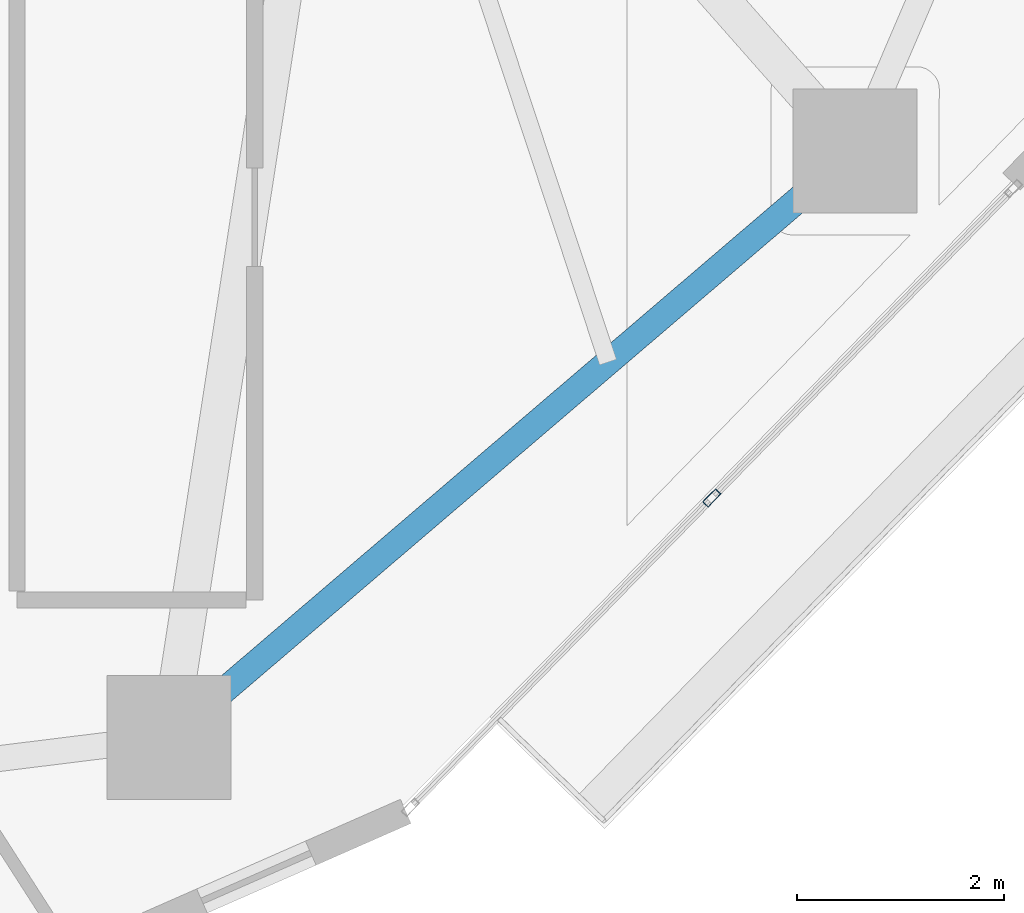
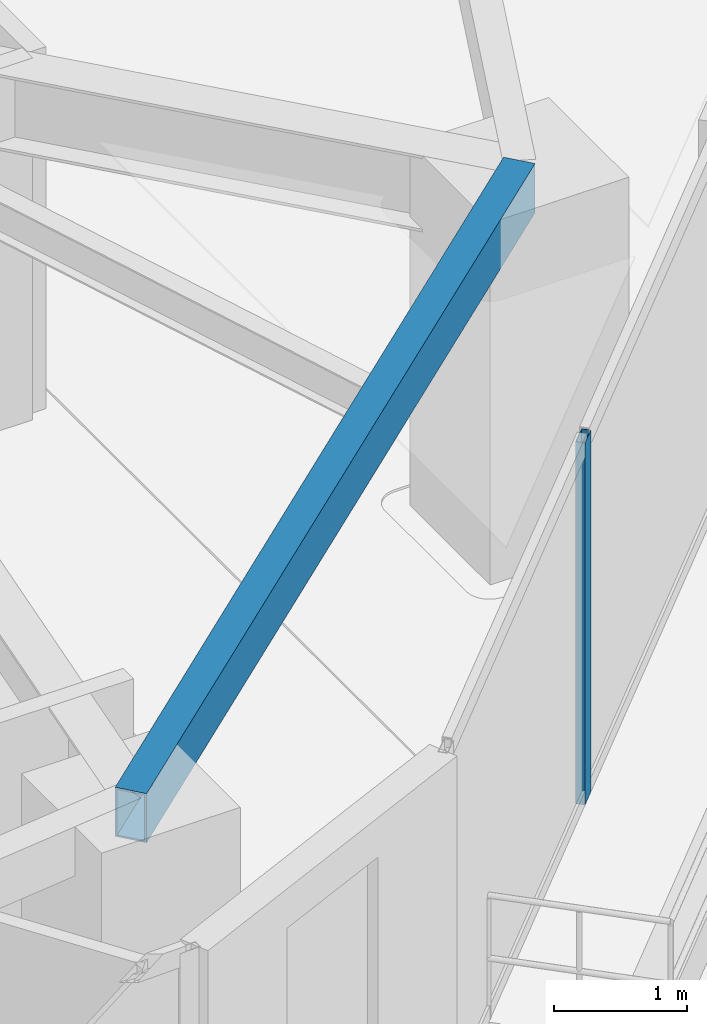
# One storey, part 6 of 23: 1 beam, 1 member, 1 element without a shape of its own.
"""IFC4 building model written with IfcOpenShell, lengths in metres."""

from ifc_helpers import new_model, si_unit, direction, frame, origin, origin_2d, place, context, subcontext, project, spatial, hollow_rectangle, extrude, source, transform, mapped, material, layer, layer_set, material_profile, profile_set, type_object, type_shapes, element, aggregate, save


model = new_model("IFC4")

# Units and contexts
model_context = context("Model", 3, precision=1e-05, world=origin(), true_north=direction((0.0, 1.0)))
body_context = subcontext(model_context, "Body", "Model", "MODEL_VIEW")
ifc_project = project(units=[si_unit("LENGTHUNIT", "METRE"), si_unit("AREAUNIT", "SQUARE_METRE"), si_unit("VOLUMEUNIT", "CUBIC_METRE"), si_unit("PLANEANGLEUNIT", "RADIAN"), si_unit("MASSUNIT", "GRAM", prefix="KILO")], contexts=[model_context])

# Site, building, storey
site_placement = place(None, origin())
site = spatial("IfcSite", under=ifc_project, at=site_placement, CompositionType="ELEMENT")
building_placement = place(site_placement, origin())
building = spatial("IfcBuilding", under=site, at=building_placement, Name="Talar Marvaseh", CompositionType="ELEMENT")
storey_placement = place(building_placement, frame((0.0, 0.0, 96.60009765625)))
storey = spatial("IfcBuildingStorey", under=building, at=storey_placement, Name="L24", CompositionType="ELEMENT", Elevation=96.60009765625)

# Beam
ifc_material_1 = material(Name="Steel S355", Category="steel")
ifc_material_profile_1 = material_profile(ifc_material_1, hollow_rectangle(XDim=0.25, YDim=0.449951171875, WallThickness=0.01611328125, at=origin_2d()), Name="RHS450x250x16")
ifc_profile_set_1 = profile_set([ifc_material_profile_1], Name="Steel S355")
beam_type = type_object("IfcBeamType", Name="Zone 2 Perimeter Spandrel Beam RHS450x250x16", PredefinedType="SPANDREL", material=ifc_profile_set_1)
beam_placement = place(storey_placement, frame((38.2060546875, 19.94091796875, 3.0849609375), z_axis=(-0.76011265597, -0.649791312833, 0.0), x_axis=(0.649791312833, -0.76011265597, 0.0)))
element("IfcBeam", 1, at=beam_placement, inside=storey, type_object=beam_type, Name="L24 Zone 2 Perimeter Spandrel Beam RHS450x250x16", PredefinedType="SPANDREL", context=body_context, shape_type="SweptSolid", body=[
    extrude(hollow_rectangle(XDim=0.25, YDim=0.449951171875, WallThickness=0.01611328125, at=origin_2d()), origin(), (0.0, 0.0, 1.0), 8.730224609375),
])

# Curtain wall, member
ifc_material_2 = material(Name="Architectural Aluminium", Category="aluminium")
ifc_layer = layer(ifc_material_2, 0.199951171875)
ifc_layer_set = layer_set([ifc_layer], Name="Architectural Aluminium")
curtain_wall_type = type_object("IfcCurtainWallType", Name="Unitised Acoustic Library Curtain Wall Z2", PredefinedType="NOTDEFINED", material=ifc_layer_set)
curtain_wall_placement = place(storey_placement, origin())
curtain_wall = element("IfcCurtainWall", 2, at=curtain_wall_placement, inside=storey, type_object=curtain_wall_type, Name="L24 Unitised Acoustic Library Curtain Wall Z2", PredefinedType="NOTDEFINED")
ifc_material_profile_2 = material_profile(ifc_material_2, hollow_rectangle(XDim=0.074951171875, YDim=0.179931640625, WallThickness=0.0048828125, at=origin_2d()), Name="RHS180x75x5")
ifc_profile_set_2 = profile_set([ifc_material_profile_2], Name="Architectural Aluminium")
member_type = type_object("IfcMemberType", Name="Unitised Curtain Wall Standard Mullion RHS180x75x5", PredefinedType="MULLION", material=ifc_profile_set_2)
shared_shape = source(origin(), body_context, "Body", "SweptSolid", [
    extrude(hollow_rectangle(XDim=0.074951171875, YDim=0.179931640625, WallThickness=0.0048828125, at=origin_2d()), origin(), (0.0, 0.0, 1.0), 3.309814453125),
])
type_shapes(member_type, [shared_shape])
member_placement = place(storey_placement, frame((36.82080078125, 16.5859375, 0.0), z_axis=(0.0, 0.0, 1.0), x_axis=(0.716198424478, -0.697896709245, 0.0)))
member = element("IfcMember", 3, at=member_placement, type_object=member_type, Name="CW-Z2 mullion 2", PredefinedType="MULLION", context=body_context, shape_type="MappedRepresentation", body=[
    mapped(shared_shape, transform((0.0, 0.0, 0.0), x_axis=(1.0, 0.0, 0.0), y_axis=(0.0, 1.0, 0.0), z_axis=(0.0, 0.0, 1.0), scale=1.0)),
])
aggregate(curtain_wall, [member])

save(model, "model.ifc")
